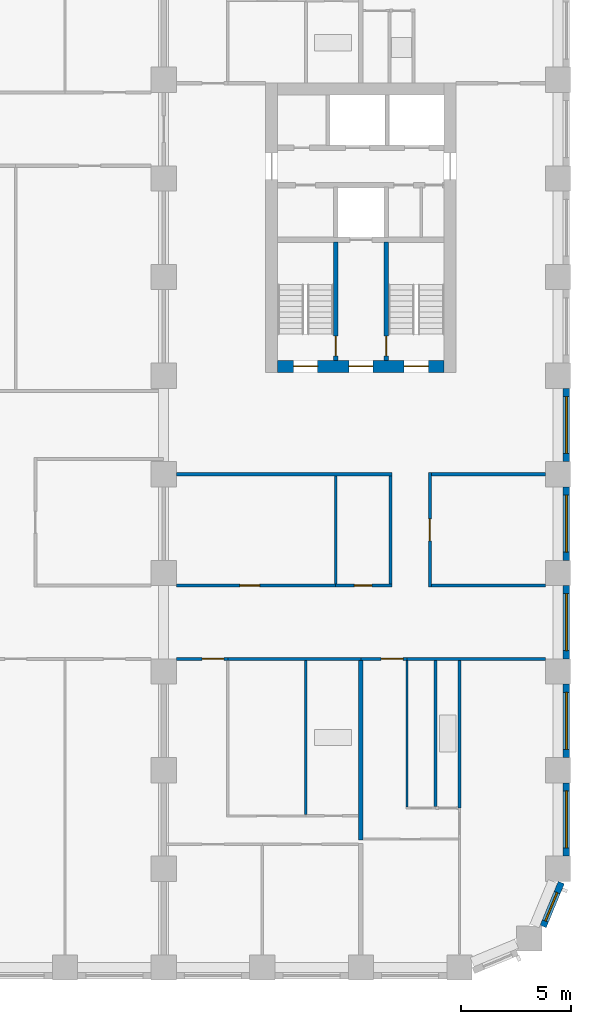
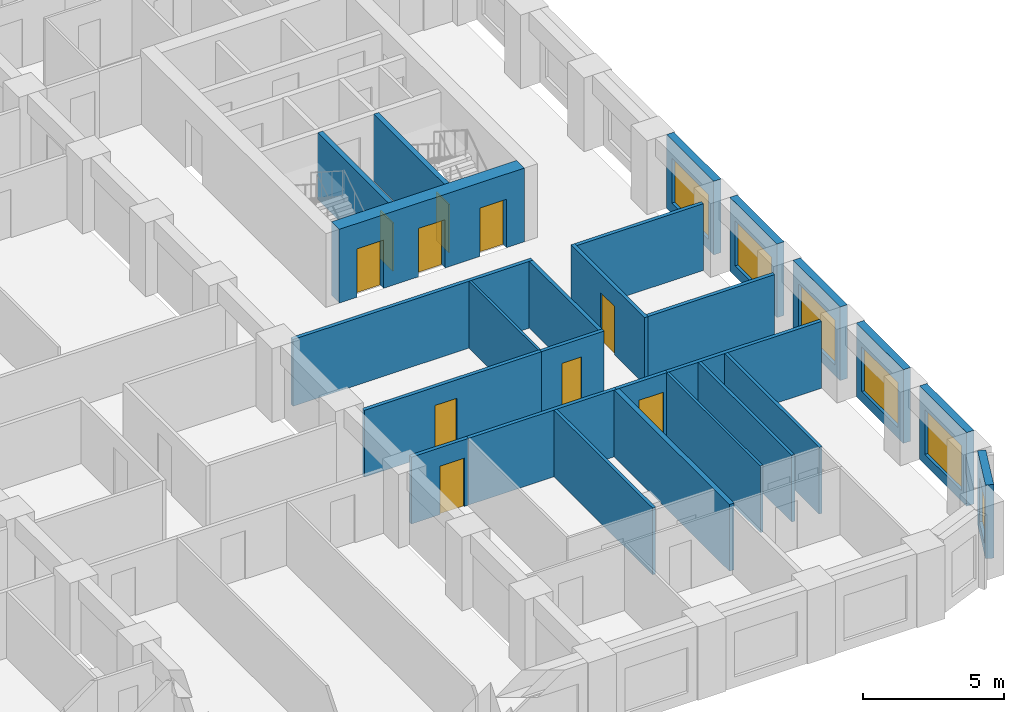
# One storey, part 5 of 12: 26 walls, 10 doors, 6 windows, 16 openings.
"""IFC4 building model written with IfcOpenShell, lengths in metres."""

import ifcopenshell
import ifcopenshell.guid

model = None  # the IFC model being written
_history = None  # IfcOwnerHistory: only IFC2X3 demands one
_inside = {}  # id of a spatial element -> (the spatial element, [elements in it])
_under = {}  # id of a project, library or spatial element -> (it, [spatial elements below it])
_declared = {}  # id of a project -> (the project, [libraries it declares])
_typed = {}  # id of a type object -> (the type object, [elements of that type])
_made_of = {}  # id of a material, layer set ... -> (it, [elements and type objects made of it])


def new_model(schema):
    """Start an empty IFC model of exactly this schema.

    Asked for "IFC4X3", IfcOpenShell would pick the latest addendum, in which some entities
    have other attributes; the version numbers below select the first issue.
    IFC2X3 requires an IfcOwnerHistory on every rooted entity: one is made here for all.
    """
    global model, _history
    if schema == "IFC4X3":
        model = ifcopenshell.file(schema_version=(4, 3, 0, 0))
    else:
        model = ifcopenshell.file(schema=schema)
    _inside.clear()
    _under.clear()
    _declared.clear()
    _typed.clear()
    _made_of.clear()
    _history = None
    if model.schema == "IFC2X3":
        org = make("IfcOrganization", Name="unknown")
        user = make(
            "IfcPersonAndOrganization",
            ThePerson=make("IfcPerson", FamilyName="unknown"),
            TheOrganization=org,
        )
        app = make(
            "IfcApplication",
            ApplicationDeveloper=org,
            Version="unknown",
            ApplicationFullName="unknown",
            ApplicationIdentifier="unknown",
        )
        _history = make(
            "IfcOwnerHistory",
            OwningUser=user,
            OwningApplication=app,
            ChangeAction="ADDED",
            CreationDate=0,
        )
    return model


def make(cls, **values):
    """One entity of the class cls with the attributes given. An attribute that is None is left unset."""
    return model.create_entity(
        cls, **{name: value for name, value in values.items() if value is not None}
    )


def rooted(cls, **values):
    """An entity with a GlobalId (a new one), such as an element, a storey or a relation."""
    return make(cls, GlobalId=ifcopenshell.guid.new(), OwnerHistory=_history, **values)


def si_unit(unit_type, name, prefix=None):
    """IfcSIUnit, for example si_unit("LENGTHUNIT", "METRE", prefix="MILLI")."""
    return make("IfcSIUnit", UnitType=unit_type, Prefix=prefix, Name=name)


def assignment(units):
    """IfcUnitAssignment: the units of a project."""
    return None if units is None else make("IfcUnitAssignment", Units=units)


def point(xyz):
    """IfcCartesianPoint."""
    return None if xyz is None else make("IfcCartesianPoint", Coordinates=xyz)


def direction(xyz):
    """IfcDirection."""
    return None if xyz is None else make("IfcDirection", DirectionRatios=xyz)


def frame(location, z_axis=None, x_axis=None):
    """IfcAxis2Placement3D, a coordinate frame: its origin and axes. An axis left out is left unset."""
    return make(
        "IfcAxis2Placement3D",
        Location=point(location),
        Axis=direction(z_axis),
        RefDirection=direction(x_axis),
    )


def frame_2d(location, x_axis=None):
    """IfcAxis2Placement2D, a coordinate frame in the plane: its origin and x axis."""
    return make(
        "IfcAxis2Placement2D", Location=point(location), RefDirection=direction(x_axis)
    )


def origin():
    """The frame at (0, 0, 0) with its axes left unset."""
    return frame((0.0, 0.0, 0.0))


def place(relative_to, where):
    """IfcLocalPlacement: puts the frame where relative to a parent placement (None: the world)."""
    return make(
        "IfcLocalPlacement", PlacementRelTo=relative_to, RelativePlacement=where
    )


def context(
    kind, dimensions, precision=None, world=None, true_north=None, identifier=None
):
    """IfcGeometricRepresentationContext, for example the 3D "Model" context."""
    return make(
        "IfcGeometricRepresentationContext",
        ContextIdentifier=identifier,
        ContextType=kind,
        CoordinateSpaceDimension=dimensions,
        Precision=precision,
        WorldCoordinateSystem=world,
        TrueNorth=true_north,
    )


def subcontext(parent, identifier, kind, view, scale=None):
    """IfcGeometricRepresentationSubContext, for example "Body" below "Model"."""
    return make(
        "IfcGeometricRepresentationSubContext",
        ContextIdentifier=identifier,
        ContextType=kind,
        ParentContext=parent,
        TargetScale=scale,
        TargetView=view,
    )


def project(units=None, contexts=None):
    """IfcProject with its units and contexts."""
    return rooted(
        "IfcProject",
        Name="project",
        RepresentationContexts=contexts,
        UnitsInContext=assignment(units),
    )


def spatial(cls, under=None, at=None, **own):
    """A site, building, storey or space (cls), placed at a placement, below another one or the project."""
    s = rooted(cls, ObjectPlacement=at, **own)
    if under is not None:
        _under.setdefault(under.id(), (under, []))[1].append(s)
    return s


def profile(cls, at=None, kind="AREA", **sizes):
    """A parametric profile (cls). Its sizes go by their IFC names, for example OverallWidth=200.0."""
    return make(cls, ProfileType=kind, Position=at, **sizes)


def rectangle(**sizes):
    """IfcRectangleProfileDef."""
    return profile("IfcRectangleProfileDef", **sizes)


def extrude(swept, where, along, depth):
    """IfcExtrudedAreaSolid: the profile swept, set in the frame where, extruded along a direction by depth."""
    return make(
        "IfcExtrudedAreaSolid",
        SweptArea=swept,
        Position=where,
        ExtrudedDirection=direction(along),
        Depth=depth,
    )


def shape(context_of_items, identifier, shape_type, items):
    """IfcShapeRepresentation: the items that make up one representation, for example the "Body"."""
    return make(
        "IfcShapeRepresentation",
        ContextOfItems=context_of_items,
        RepresentationIdentifier=identifier,
        RepresentationType=shape_type,
        Items=items,
    )


def material(Name=None, Category=None):
    """IfcMaterial."""
    return make("IfcMaterial", Name=Name, Category=Category)


def layer(
    of_material, thickness, ventilated=None, Name=None, Category=None, Priority=None
):
    """IfcMaterialLayer: one layer of a wall or slab, of a material (None: an air gap)."""
    return make(
        "IfcMaterialLayer",
        Material=of_material,
        LayerThickness=thickness,
        IsVentilated=ventilated,
        Name=Name,
        Category=Category,
        Priority=Priority,
    )


def layer_set(layers, Name=None):
    """IfcMaterialLayerSet."""
    return make("IfcMaterialLayerSet", MaterialLayers=layers, LayerSetName=Name)


def made_of(thing, what):
    """Note that an element or type object is made of a material, layer set ...; save() writes the relation."""
    if what is not None:
        _made_of.setdefault(what.id(), (what, []))[1].append(thing)
    return thing


def type_object(cls, material=None, **own):
    """A type object (cls), such as IfcWallType, which elements share."""
    return made_of(rooted(cls, **own), material)


def element(
    cls,
    number,
    at=None,
    inside=None,
    cuts=None,
    type_object=None,
    material=None,
    context=None,
    identifier="Body",
    shape_type=None,
    held_by="IfcProductDefinitionShape",
    body=None,
    shapes=None,
    **own,
):
    """One element of the class cls, such as IfcWall. Its Tag is "e" and its number.

    at: its placement. inside: the storey or other place that contains it. cuts: it is an
    opening in that element (IfcRelVoidsElement). A single representation is given by context,
    identifier, shape_type and body (its items); several are given by shapes. held_by: the class
    of the entity that holds the representations. save() writes the other relations.
    """
    e = rooted(cls, Tag="e%d" % number, ObjectPlacement=at, **own)
    if body is not None:
        shapes = [shape(context, identifier, shape_type, body)]
    if shapes is not None:
        e.Representation = make(held_by, Representations=shapes)
    if inside is not None:
        _inside.setdefault(inside.id(), (inside, []))[1].append(e)
    if cuts is not None:
        rooted(
            "IfcRelVoidsElement", RelatingBuildingElement=cuts, RelatedOpeningElement=e
        )
    if type_object is not None:
        _typed.setdefault(type_object.id(), (type_object, []))[1].append(e)
    return made_of(e, material)


def fill(opening, filler):
    """IfcRelFillsElement: the door or window that sits in an opening."""
    return rooted(
        "IfcRelFillsElement",
        RelatingOpeningElement=opening,
        RelatedBuildingElement=filler,
    )


def aggregate(whole, parts):
    """IfcRelAggregates: a whole, such as a stair, and the parts it consists of."""
    return rooted("IfcRelAggregates", RelatingObject=whole, RelatedObjects=parts)


def save(model, path):
    """Write the relations noted so far, then the file.

    IfcRelAggregates (storeys below a building ...), IfcRelContainedInSpatialStructure (elements
    in a storey), IfcRelDefinesByType, IfcRelAssociatesMaterial and IfcRelDeclares: one each for
    every whole, place, type object, material and project.
    """
    for whole, parts in _under.values():
        aggregate(whole, parts)
    for where, things in _inside.values():
        rooted(
            "IfcRelContainedInSpatialStructure",
            RelatedElements=things,
            RelatingStructure=where,
        )
    for kind, things in _typed.values():
        rooted("IfcRelDefinesByType", RelatedObjects=things, RelatingType=kind)
    for what, things in _made_of.values():
        rooted("IfcRelAssociatesMaterial", RelatedObjects=things, RelatingMaterial=what)
    for by, libraries in _declared.values():
        rooted("IfcRelDeclares", RelatingContext=by, RelatedDefinitions=libraries)
    model.write(path)


model = new_model("IFC4")

# Units and contexts
model_context = context("Model", 3, precision=1e-05, world=origin(), true_north=direction((0.0, 1.0)))
body_context = subcontext(model_context, "Body", "Model", "MODEL_VIEW")
ifc_project = project(units=[si_unit("LENGTHUNIT", "METRE"), si_unit("AREAUNIT", "SQUARE_METRE"), si_unit("VOLUMEUNIT", "CUBIC_METRE"), si_unit("PLANEANGLEUNIT", "RADIAN"), si_unit("MASSUNIT", "GRAM", prefix="KILO")], contexts=[model_context])

# Site, building, storey
site_placement = place(None, origin())
site = spatial("IfcSite", under=ifc_project, at=site_placement, CompositionType="ELEMENT")
building_placement = place(site_placement, origin())
building = spatial("IfcBuilding", under=site, at=building_placement, Name="Girih Gate Residences", CompositionType="ELEMENT")
storey_placement = place(building_placement, frame((0.0, 0.0, 118.39990234375)))
storey = spatial("IfcBuildingStorey", under=building, at=storey_placement, Name="L33", CompositionType="ELEMENT", Elevation=118.39990234375)

# Wall, opening, door
ifc_material_1 = material(Name="Gypsum board on steel studs", Category="steel")
ifc_layer_1 = layer(ifc_material_1, 0.14990234375)
ifc_layer_set_1 = layer_set([ifc_layer_1], Name="Compartment wall 150 mm")
wall_type_1 = type_object("IfcWallType", Name="Compartment wall 150 mm", PredefinedType="PARTITIONING", material=ifc_layer_set_1)
wall_1_placement = place(storey_placement, frame((42.60009765625, 14.074951171875, 0.0), z_axis=(0.0, 0.0, 1.0), x_axis=(-1.0, 0.0, 0.0)))
wall_1 = element("IfcWall", 1, at=wall_1_placement, inside=storey, type_object=wall_type_1, Name="L33 partition", PredefinedType="PARTITIONING", context=body_context, shape_type="SweptSolid", body=[
    extrude(rectangle(XDim=2.10009765625, YDim=0.14990234375, at=frame_2d((1.050048828125, 0.0))), origin(), (0.0, 0.0, 1.0), 2.900146484375),
])
opening_1_placement = place(wall_1_placement, frame((0.175048828125, 0.0, 0.0)))
opening_1 = element("IfcOpeningElement", 2, at=opening_1_placement, cuts=wall_1, Name="Opening A33-018", PredefinedType="OPENING", context=body_context, shape_type="SweptSolid", body=[
    extrude(rectangle(XDim=1.0, YDim=2.10009765625, at=frame_2d((0.5, 1.050048828125))), frame((0.0, 0.0849609375, 0.0), z_axis=(0.0, -1.0, 0.0), x_axis=(1.0, 0.0, 0.0)), (0.0, 0.0, 1.0), 0.169921875),
])
ifc_material_2 = material(Name="Timber, fire-rated core", Category="wood")
door_type_1 = type_object("IfcDoorType", Name="Flat entrance door 1000x2100 FD30S", OperationType="NOTDEFINED", PredefinedType="DOOR", material=ifc_material_2)
door_1_placement = place(opening_1_placement, origin())
door_1 = element("IfcDoor", 3, at=door_1_placement, inside=storey, type_object=door_type_1, Name="Door A33-018", OperationType="SINGLE_SWING_LEFT", OverallHeight=2.10009765625, OverallWidth=1.0, PredefinedType="DOOR", context=body_context, shape_type="SweptSolid", body=[
    extrude(rectangle(XDim=1.0, YDim=2.10009765625, at=frame_2d((0.5, 1.050048828125))), frame((0.0, 0.02490234375, 0.0), z_axis=(0.0, -1.0, 0.0), x_axis=(1.0, 0.0, 0.0)), (0.0, 0.0, 1.0), 0.050048828125),
])
fill(opening_1, door_1)

# Wall
wall_2_placement = place(storey_placement, frame((42.60009765625, 14.074951171875, 0.0), z_axis=(0.0, 0.0, 1.0), x_axis=(1.0, 0.0, 0.0)))
element("IfcWall", 4, at=wall_2_placement, inside=storey, type_object=wall_type_1, Name="L33 partition", PredefinedType="PARTITIONING", context=body_context, shape_type="SweptSolid", body=[
    extrude(rectangle(XDim=6.324951171875, YDim=0.14990234375, at=frame_2d((3.16259765625, 0.0))), origin(), (0.0, 0.0, 1.0), 2.900146484375),
])

# Wall, opening, door
wall_3_placement = place(storey_placement, frame((34.425048828125, 14.074951171875, 0.0), z_axis=(0.0, 0.0, 1.0), x_axis=(-1.0, 0.0, 0.0)))
wall_3 = element("IfcWall", 5, at=wall_3_placement, inside=storey, type_object=wall_type_1, Name="L33 partition", PredefinedType="PARTITIONING", context=body_context, shape_type="SweptSolid", body=[
    extrude(rectangle(XDim=2.35009765625, YDim=0.14990234375, at=frame_2d((1.175048828125, 0.0))), origin(), (0.0, 0.0, 1.0), 2.900146484375),
])
opening_2_placement = place(wall_3_placement, frame((0.175048828125, 0.0, 0.0)))
opening_2 = element("IfcOpeningElement", 6, at=opening_2_placement, cuts=wall_3, Name="Opening A33-023", PredefinedType="OPENING", context=body_context, shape_type="SweptSolid", body=[
    extrude(rectangle(XDim=1.0, YDim=2.10009765625, at=frame_2d((0.5, 1.050048828125))), frame((0.0, 0.0849609375, 0.0), z_axis=(0.0, -1.0, 0.0), x_axis=(1.0, 0.0, 0.0)), (0.0, 0.0, 1.0), 0.169921875),
])
door_2_placement = place(opening_2_placement, origin())
door_2 = element("IfcDoor", 7, at=door_2_placement, inside=storey, type_object=door_type_1, Name="Door A33-023", OperationType="SINGLE_SWING_LEFT", OverallHeight=2.10009765625, OverallWidth=1.0, PredefinedType="DOOR", context=body_context, shape_type="SweptSolid", body=[
    extrude(rectangle(XDim=1.0, YDim=2.10009765625, at=frame_2d((0.5, 1.050048828125))), frame((0.0, 0.02490234375, 0.0), z_axis=(0.0, -1.0, 0.0), x_axis=(1.0, 0.0, 0.0)), (0.0, 0.0, 1.0), 0.050048828125),
])
fill(opening_2, door_2)

# Wall
wall_4_placement = place(storey_placement, frame((34.425048828125, 14.074951171875, 0.0), z_axis=(0.0, 0.0, 1.0), x_axis=(1.0, 0.0, 0.0)))
element("IfcWall", 8, at=wall_4_placement, inside=storey, type_object=wall_type_1, Name="L33 partition", PredefinedType="PARTITIONING", context=body_context, shape_type="SweptSolid", body=[
    extrude(rectangle(XDim=6.074951171875, YDim=0.14990234375, at=frame_2d((3.03759765625, 0.0))), origin(), (0.0, 0.0, 1.0), 2.900146484375),
])

# Wall, opening, door
wall_5_placement = place(storey_placement, frame((32.074951171875, 17.425048828125, 0.0), z_axis=(0.0, 0.0, 1.0), x_axis=(1.0, 0.0, 0.0)))
wall_5 = element("IfcWall", 9, at=wall_5_placement, inside=storey, type_object=wall_type_1, Name="L33 partition", PredefinedType="PARTITIONING", context=body_context, shape_type="SweptSolid", body=[
    extrude(rectangle(XDim=7.275146484375, YDim=0.14990234375, at=frame_2d((3.6376953125, 0.0))), origin(), (0.0, 0.0, 1.0), 2.900146484375),
])
opening_3_placement = place(wall_5_placement, frame((2.89990234375, 0.0, 0.0)))
opening_3 = element("IfcOpeningElement", 10, at=opening_3_placement, cuts=wall_5, Name="Opening A33-045", PredefinedType="OPENING", context=body_context, shape_type="SweptSolid", body=[
    extrude(rectangle(XDim=0.89990234375, YDim=2.10009765625, at=frame_2d((0.449951171875, 1.050048828125))), frame((0.0, 0.0849609375, 0.0), z_axis=(0.0, -1.0, 0.0), x_axis=(1.0, 0.0, 0.0)), (0.0, 0.0, 1.0), 0.169921875),
])
ifc_material_3 = material(Name="Timber", Category="wood")
door_type_2 = type_object("IfcDoorType", Name="Service room door 900x2100", OperationType="NOTDEFINED", PredefinedType="DOOR", material=ifc_material_3)
door_3_placement = place(opening_3_placement, origin())
door_3 = element("IfcDoor", 11, at=door_3_placement, inside=storey, type_object=door_type_2, Name="Door A33-045", OperationType="SINGLE_SWING_LEFT", OverallHeight=2.10009765625, OverallWidth=0.89990234375, PredefinedType="DOOR", context=body_context, shape_type="SweptSolid", body=[
    extrude(rectangle(XDim=0.89990234375, YDim=2.10009765625, at=frame_2d((0.449951171875, 1.050048828125))), frame((0.0, 0.02490234375, 0.0), z_axis=(0.0, -1.0, 0.0), x_axis=(1.0, 0.0, 0.0)), (0.0, 0.0, 1.0), 0.050048828125),
])
fill(opening_3, door_3)

wall_6_placement = place(storey_placement, frame((39.35009765625, 17.425048828125, 0.0), z_axis=(0.0, 0.0, 1.0), x_axis=(1.0, 0.0, 0.0)))
wall_6 = element("IfcWall", 12, at=wall_6_placement, inside=storey, type_object=wall_type_1, Name="L33 partition", PredefinedType="PARTITIONING", context=body_context, shape_type="SweptSolid", body=[
    extrude(rectangle(XDim=2.574951171875, YDim=0.14990234375, at=frame_2d((1.28759765625, 0.0))), origin(), (0.0, 0.0, 1.0), 2.900146484375),
])
opening_4_placement = place(wall_6_placement, frame((0.85009765625, 0.0, 0.0)))
opening_4 = element("IfcOpeningElement", 13, at=opening_4_placement, cuts=wall_6, Name="Opening A33-047", PredefinedType="OPENING", context=body_context, shape_type="SweptSolid", body=[
    extrude(rectangle(XDim=0.800048828125, YDim=2.10009765625, at=frame_2d((0.39990234375, 1.050048828125))), frame((0.0, 0.0849609375, 0.0), z_axis=(0.0, -1.0, 0.0), x_axis=(1.0, 0.0, 0.0)), (0.0, 0.0, 1.0), 0.169921875),
])
door_type_3 = type_object("IfcDoorType", Name="Bathroom door 800x2100", OperationType="NOTDEFINED", PredefinedType="DOOR", material=ifc_material_3)
door_4_placement = place(opening_4_placement, origin())
door_4 = element("IfcDoor", 14, at=door_4_placement, inside=storey, type_object=door_type_3, Name="Door A33-047", OperationType="SINGLE_SWING_LEFT", OverallHeight=2.10009765625, OverallWidth=0.800048828125, PredefinedType="DOOR", context=body_context, shape_type="SweptSolid", body=[
    extrude(rectangle(XDim=0.800048828125, YDim=2.10009765625, at=frame_2d((0.39990234375, 1.050048828125))), frame((0.0, 0.02490234375, 0.0), z_axis=(0.0, -1.0, 0.0), x_axis=(1.0, 0.0, 0.0)), (0.0, 0.0, 1.0), 0.050048828125),
])
fill(opening_4, door_4)

# Walls
wall_7_placement = place(storey_placement, frame((43.72509765625, 17.425048828125, 0.0), z_axis=(0.0, 0.0, 1.0), x_axis=(1.0, 0.0, 0.0)))
element("IfcWall", 15, at=wall_7_placement, inside=storey, type_object=wall_type_1, Name="L33 partition", PredefinedType="PARTITIONING", context=body_context, shape_type="SweptSolid", body=[
    extrude(rectangle(XDim=5.199951171875, YDim=0.14990234375, at=frame_2d((2.60009765625, 0.0))), origin(), (0.0, 0.0, 1.0), 2.900146484375),
])
wall_8_placement = place(storey_placement, frame((32.074951171875, 22.5, 0.0), z_axis=(0.0, 0.0, 1.0), x_axis=(1.0, 0.0, 0.0)))
element("IfcWall", 16, at=wall_8_placement, inside=storey, type_object=wall_type_1, Name="L33 partition", PredefinedType="PARTITIONING", context=body_context, shape_type="SweptSolid", body=[
    extrude(rectangle(XDim=9.85009765625, YDim=0.14990234375, at=frame_2d((4.925048828125, 0.0))), origin(), (0.0, 0.0, 1.0), 2.900146484375),
])
wall_9_placement = place(storey_placement, frame((43.72509765625, 22.5, 0.0), z_axis=(0.0, 0.0, 1.0), x_axis=(1.0, 0.0, 0.0)))
element("IfcWall", 17, at=wall_9_placement, inside=storey, type_object=wall_type_1, Name="L33 partition", PredefinedType="PARTITIONING", context=body_context, shape_type="SweptSolid", body=[
    extrude(rectangle(XDim=5.199951171875, YDim=0.14990234375, at=frame_2d((2.60009765625, 0.0))), origin(), (0.0, 0.0, 1.0), 2.900146484375),
])
wall_10_placement = place(storey_placement, frame((41.85009765625, 17.5, 0.0), z_axis=(0.0, 0.0, 1.0), x_axis=(0.0, 1.0, 0.0)))
element("IfcWall", 18, at=wall_10_placement, inside=storey, type_object=wall_type_1, Name="L33 partition", PredefinedType="PARTITIONING", context=body_context, shape_type="SweptSolid", body=[
    extrude(rectangle(XDim=4.925048828125, YDim=0.14990234375, at=frame_2d((2.46240234375, 0.0))), origin(), (0.0, 0.0, 1.0), 2.900146484375),
])

# Wall, opening, door
wall_11_placement = place(storey_placement, frame((43.64990234375, 22.574951171875, 0.0), z_axis=(0.0, 0.0, 1.0), x_axis=(0.0, -1.0, 0.0)))
wall_11 = element("IfcWall", 19, at=wall_11_placement, inside=storey, type_object=wall_type_1, Name="L33 partition", PredefinedType="PARTITIONING", context=body_context, shape_type="SweptSolid", body=[
    extrude(rectangle(XDim=5.224853515625, YDim=0.14990234375, at=frame_2d((2.6123046875, 0.0))), origin(), (0.0, 0.0, 1.0), 2.900146484375),
])
opening_5_placement = place(wall_11_placement, frame((2.112548828125, 0.0, 0.0)))
opening_5 = element("IfcOpeningElement", 20, at=opening_5_placement, cuts=wall_11, Name="Opening A33-049", PredefinedType="OPENING", context=body_context, shape_type="SweptSolid", body=[
    extrude(rectangle(XDim=1.0, YDim=2.10009765625, at=frame_2d((0.5, 1.050048828125))), frame((0.0, 0.0849609375, 0.0), z_axis=(0.0, -1.0, 0.0), x_axis=(1.0, 0.0, 0.0)), (0.0, 0.0, 1.0), 0.169921875),
])
door_type_4 = type_object("IfcDoorType", Name="Amenity room door 1000x2100 FD30S", OperationType="NOTDEFINED", PredefinedType="DOOR", material=ifc_material_2)
door_5_placement = place(opening_5_placement, origin())
door_5 = element("IfcDoor", 21, at=door_5_placement, inside=storey, type_object=door_type_4, Name="Door A33-049", OperationType="SINGLE_SWING_RIGHT", OverallHeight=2.10009765625, OverallWidth=1.0, PredefinedType="DOOR", context=body_context, shape_type="SweptSolid", body=[
    extrude(rectangle(XDim=1.0, YDim=2.10009765625, at=frame_2d((0.5, 1.050048828125))), frame((0.0, 0.02490234375, 0.0), z_axis=(0.0, -1.0, 0.0), x_axis=(1.0, 0.0, 0.0)), (0.0, 0.0, 1.0), 0.050048828125),
])
fill(opening_5, door_5)

# Wall, openings, doors
ifc_material_4 = material(Name="Concrete C60/75", Category="concrete")
ifc_layer_2 = layer(ifc_material_4, 0.550048828125)
ifc_layer_set_2 = layer_set([ifc_layer_2], Name="Core wall RC 550 Concrete C60/75")
wall_type_2 = type_object("IfcWallType", Name="Core wall RC 550 Concrete C60/75", PredefinedType="SOLIDWALL", material=ifc_layer_set_2)
wall_12_placement = place(storey_placement, frame((36.699951171875, 27.425048828125, 0.0), z_axis=(0.0, 0.0, 1.0), x_axis=(1.0, 0.0, 0.0)))
wall_12 = element("IfcWall", 22, at=wall_12_placement, inside=storey, type_object=wall_type_2, Name="Core wall E-S L33", PredefinedType="SOLIDWALL", context=body_context, shape_type="SweptSolid", body=[
    extrude(rectangle(XDim=7.60009765625, YDim=0.550048828125, at=frame_2d((3.800048828125, 0.0))), origin(), (0.0, 0.0, 1.0), 3.2001953125),
])
opening_6_placement = place(wall_12_placement, frame((5.77490234375, 0.0, 0.0)))
opening_6 = element("IfcOpeningElement", 23, at=opening_6_placement, cuts=wall_12, Name="Opening D-L33-E-010", PredefinedType="OPENING", context=body_context, shape_type="SweptSolid", body=[
    extrude(rectangle(XDim=1.10009765625, YDim=2.10009765625, at=frame_2d((0.550048828125, 1.050048828125))), frame((0.0, 0.284912109375, 0.0), z_axis=(0.0, -1.0, 0.0), x_axis=(1.0, 0.0, 0.0)), (0.0, 0.0, 1.0), 0.570068359375),
])
opening_7_placement = place(wall_12_placement, frame((3.25, 0.0, 0.0)))
opening_7 = element("IfcOpeningElement", 24, at=opening_7_placement, cuts=wall_12, Name="Opening D-L33-E-011", PredefinedType="OPENING", context=body_context, shape_type="SweptSolid", body=[
    extrude(rectangle(XDim=1.10009765625, YDim=2.10009765625, at=frame_2d((0.550048828125, 1.050048828125))), frame((0.0, 0.284912109375, 0.0), z_axis=(0.0, -1.0, 0.0), x_axis=(1.0, 0.0, 0.0)), (0.0, 0.0, 1.0), 0.570068359375),
])
opening_8_placement = place(wall_12_placement, frame((0.72509765625, 0.0, 0.0)))
opening_8 = element("IfcOpeningElement", 25, at=opening_8_placement, cuts=wall_12, Name="Opening D-L33-E-012", PredefinedType="OPENING", context=body_context, shape_type="SweptSolid", body=[
    extrude(rectangle(XDim=1.10009765625, YDim=2.10009765625, at=frame_2d((0.550048828125, 1.050048828125))), frame((0.0, 0.284912109375, 0.0), z_axis=(0.0, -1.0, 0.0), x_axis=(1.0, 0.0, 0.0)), (0.0, 0.0, 1.0), 0.570068359375),
])
ifc_material_5 = material(Name="Painted steel, fire-resisting", Category="steel")
door_type_5 = type_object("IfcDoorType", Name="Fire door 1100x2100", OperationType="SINGLE_SWING_LEFT", PredefinedType="DOOR", material=ifc_material_5)
door_6_placement = place(opening_6_placement, origin())
door_6 = element("IfcDoor", 26, at=door_6_placement, inside=storey, type_object=door_type_5, Name="L33 E core door sta-out", OperationType="SINGLE_SWING_LEFT", OverallHeight=2.10009765625, OverallWidth=1.10009765625, PredefinedType="DOOR", context=body_context, shape_type="SweptSolid", body=[
    extrude(rectangle(XDim=1.10009765625, YDim=2.10009765625, at=frame_2d((0.550048828125, 1.050048828125))), frame((0.0, 0.02490234375, 0.0), z_axis=(0.0, -1.0, 0.0), x_axis=(1.0, 0.0, 0.0)), (0.0, 0.0, 1.0), 0.050048828125),
])
fill(opening_6, door_6)
door_7_placement = place(opening_7_placement, origin())
door_7 = element("IfcDoor", 27, at=door_7_placement, inside=storey, type_object=door_type_5, Name="L33 E core door ffl-out", OperationType="SINGLE_SWING_LEFT", OverallHeight=2.10009765625, OverallWidth=1.10009765625, PredefinedType="DOOR", context=body_context, shape_type="SweptSolid", body=[
    extrude(rectangle(XDim=1.10009765625, YDim=2.10009765625, at=frame_2d((0.550048828125, 1.050048828125))), frame((0.0, 0.02490234375, 0.0), z_axis=(0.0, -1.0, 0.0), x_axis=(1.0, 0.0, 0.0)), (0.0, 0.0, 1.0), 0.050048828125),
])
fill(opening_7, door_7)
door_8_placement = place(opening_8_placement, origin())
door_8 = element("IfcDoor", 28, at=door_8_placement, inside=storey, type_object=door_type_5, Name="L33 E core door stb-out", OperationType="SINGLE_SWING_LEFT", OverallHeight=2.10009765625, OverallWidth=1.10009765625, PredefinedType="DOOR", context=body_context, shape_type="SweptSolid", body=[
    extrude(rectangle(XDim=1.10009765625, YDim=2.10009765625, at=frame_2d((0.550048828125, 1.050048828125))), frame((0.0, 0.02490234375, 0.0), z_axis=(0.0, -1.0, 0.0), x_axis=(1.0, 0.0, 0.0)), (0.0, 0.0, 1.0), 0.050048828125),
])
fill(opening_8, door_8)

# Walls
ifc_layer_3 = layer(ifc_material_1, 0.10009765625)
ifc_layer_set_3 = layer_set([ifc_layer_3], Name="Partition 100 mm")
wall_type_3 = type_object("IfcWallType", Name="Partition 100 mm", PredefinedType="PARTITIONING", material=ifc_layer_set_3)
wall_13_placement = place(storey_placement, frame((42.60009765625, 7.324951171875, 0.0), z_axis=(0.0, 0.0, 1.0), x_axis=(0.0, 1.0, 0.0)))
element("IfcWall", 29, at=wall_13_placement, inside=storey, type_object=wall_type_3, Name="L33 partition", PredefinedType="PARTITIONING", context=body_context, shape_type="SweptSolid", body=[
    extrude(rectangle(XDim=6.675048828125, YDim=0.10009765625, at=frame_2d((3.33740234375, 0.0))), origin(), (0.0, 0.0, 1.0), 2.900146484375),
])
wall_14_placement = place(storey_placement, frame((39.35009765625, 17.5, 0.0), z_axis=(0.0, 0.0, 1.0), x_axis=(0.0, 1.0, 0.0)))
element("IfcWall", 30, at=wall_14_placement, inside=storey, type_object=wall_type_3, Name="L33 partition", PredefinedType="PARTITIONING", context=body_context, shape_type="SweptSolid", body=[
    extrude(rectangle(XDim=4.925048828125, YDim=0.10009765625, at=frame_2d((2.46240234375, 0.0))), origin(), (0.0, 0.0, 1.0), 2.900146484375),
])
ifc_layer_4 = layer(ifc_material_1, 0.199951171875)
ifc_layer_set_4 = layer_set([ifc_layer_4], Name="Party wall 200 mm")
wall_type_4 = type_object("IfcWallType", Name="Party wall 200 mm", PredefinedType="PARTITIONING", material=ifc_layer_set_4)
wall_15_placement = place(storey_placement, frame((40.5, 5.804931640625, 0.0), z_axis=(0.0, 0.0, 1.0), x_axis=(0.0, 1.0, 0.0)))
element("IfcWall", 31, at=wall_15_placement, inside=storey, type_object=wall_type_4, Name="L33 partition", PredefinedType="PARTITIONING", context=body_context, shape_type="SweptSolid", body=[
    extrude(rectangle(XDim=8.195068359375, YDim=0.199951171875, at=frame_2d((4.09765625, 0.0))), origin(), (0.0, 0.0, 1.0), 2.900146484375),
])

# Wall, opening, window
ifc_material_6 = material(Name="Precast concrete C50/60", Category="concrete")
ifc_layer_5 = layer(ifc_material_6, 0.080078125, Name="Outer leaf")
ifc_material_7 = material(Name="Rigid PIR insulation")
ifc_layer_6 = layer(ifc_material_7, 0.14990234375, Name="Insulation")
ifc_material_8 = material(Name="Precast concrete C40/50", Category="concrete")
ifc_layer_7 = layer(ifc_material_8, 0.070068359375, Name="Inner leaf")
ifc_layer_set_5 = layer_set([ifc_layer_5, ifc_layer_6, ifc_layer_7], Name="Precast concrete C50/60 external wall 300")
wall_type_5 = type_object("IfcWallType", Name="Precast concrete C50/60 external wall 300", PredefinedType="SOLIDWALL", material=ifc_layer_set_5)
wall_16_placement = place(storey_placement, frame((49.64404296875, 3.86767578125, 0.0), z_axis=(0.0, 0.0, 1.0), x_axis=(-0.382723818695, -0.923862802911, 0.0)))
wall_16 = element("IfcWall", 32, at=wall_16_placement, inside=storey, type_object=wall_type_5, Name="External wall SE0482_0013.0", PredefinedType="SOLIDWALL", context=body_context, shape_type="SweptSolid", body=[
    extrude(rectangle(XDim=2.163818359375, YDim=0.300048828125, at=frame_2d((1.08203125, 0.0))), origin(), (0.0, 0.0, 1.0), 3.2001953125),
])
opening_9_placement = place(wall_16_placement, frame((0.492919921875, 0.0, 0.449951171875)))
opening_9 = element("IfcOpeningElement", 33, at=opening_9_placement, cuts=wall_16, Name="Opening W-2D", PredefinedType="OPENING", context=body_context, shape_type="SweptSolid", body=[
    extrude(rectangle(XDim=1.39990234375, YDim=1.949951171875, at=frame_2d((0.699951171875, 0.97509765625))), frame((0.0, 0.159912109375, 0.0), z_axis=(0.0, -1.0, 0.0), x_axis=(1.0, 0.0, 0.0)), (0.0, 0.0, 1.0), 0.320068359375),
])
ifc_material_9 = material(Name="Double glazing in aluminium frame", Category="aluminium")
window_type_1 = type_object("IfcWindowType", Name="Window W-2D 1400x1950", PartitioningType="SINGLE_PANEL", PredefinedType="WINDOW", material=ifc_material_9)
window_1_placement = place(opening_9_placement, origin())
window_1 = element("IfcWindow", 34, at=window_1_placement, inside=storey, type_object=window_type_1, Name="Window W-2D SE0482_0013.0", OverallHeight=1.949951171875, OverallWidth=1.39990234375, PartitioningType="SINGLE_PANEL", PredefinedType="WINDOW", context=body_context, shape_type="SweptSolid", body=[
    extrude(rectangle(XDim=1.39990234375, YDim=1.949951171875, at=frame_2d((0.699951171875, 0.97509765625))), frame((0.0, 0.030029296875, 0.0), z_axis=(0.0, -1.0, 0.0), x_axis=(1.0, 0.0, 0.0)), (0.0, 0.0, 1.0), 0.06005859375),
])
fill(opening_9, window_1)

wall_17_placement = place(storey_placement, frame((49.875, 8.425048828125, 0.0), z_axis=(0.0, 0.0, 1.0), x_axis=(0.0, -1.0, 0.0)))
wall_17 = element("IfcWall", 35, at=wall_17_placement, inside=storey, type_object=wall_type_5, Name="External wall E0495_0045.0", PredefinedType="SOLIDWALL", context=body_context, shape_type="SweptSolid", body=[
    extrude(rectangle(XDim=3.35009765625, YDim=0.300048828125, at=frame_2d((1.675048828125, 0.0))), origin(), (0.0, 0.0, 1.0), 3.2001953125),
])
opening_10_placement = place(wall_17_placement, frame((0.375, 0.0, 0.449951171875)))
opening_10 = element("IfcOpeningElement", 36, at=opening_10_placement, cuts=wall_17, Name="Opening W-1A", PredefinedType="OPENING", context=body_context, shape_type="SweptSolid", body=[
    extrude(rectangle(XDim=2.60009765625, YDim=1.949951171875, at=frame_2d((1.300048828125, 0.97509765625))), frame((0.0, 0.159912109375, 0.0), z_axis=(0.0, -1.0, 0.0), x_axis=(1.0, 0.0, 0.0)), (0.0, 0.0, 1.0), 0.320068359375),
])
window_type_2 = type_object("IfcWindowType", Name="Window W-1A 2600x1950", PartitioningType="SINGLE_PANEL", PredefinedType="WINDOW", material=ifc_material_9)
window_2_placement = place(opening_10_placement, origin())
window_2 = element("IfcWindow", 37, at=window_2_placement, inside=storey, type_object=window_type_2, Name="Window W-1A E0495_0045.0", OverallHeight=1.949951171875, OverallWidth=2.60009765625, PartitioningType="SINGLE_PANEL", PredefinedType="WINDOW", context=body_context, shape_type="SweptSolid", body=[
    extrude(rectangle(XDim=2.60009765625, YDim=1.949951171875, at=frame_2d((1.300048828125, 0.97509765625))), frame((0.0, 0.030029296875, 0.0), z_axis=(0.0, -1.0, 0.0), x_axis=(1.0, 0.0, 0.0)), (0.0, 0.0, 1.0), 0.06005859375),
])
fill(opening_10, window_2)

wall_18_placement = place(storey_placement, frame((49.875, 12.925048828125, 0.0), z_axis=(0.0, 0.0, 1.0), x_axis=(0.0, -1.0, 0.0)))
wall_18 = element("IfcWall", 38, at=wall_18_placement, inside=storey, type_object=wall_type_5, Name="External wall E0495_0045.1", PredefinedType="SOLIDWALL", context=body_context, shape_type="SweptSolid", body=[
    extrude(rectangle(XDim=3.35009765625, YDim=0.300048828125, at=frame_2d((1.675048828125, 0.0))), origin(), (0.0, 0.0, 1.0), 3.2001953125),
])
opening_11_placement = place(wall_18_placement, frame((0.375, 0.0, 0.449951171875)))
opening_11 = element("IfcOpeningElement", 39, at=opening_11_placement, cuts=wall_18, Name="Opening W-1A", PredefinedType="OPENING", context=body_context, shape_type="SweptSolid", body=[
    extrude(rectangle(XDim=2.60009765625, YDim=1.949951171875, at=frame_2d((1.300048828125, 0.97509765625))), frame((0.0, 0.159912109375, 0.0), z_axis=(0.0, -1.0, 0.0), x_axis=(1.0, 0.0, 0.0)), (0.0, 0.0, 1.0), 0.320068359375),
])
window_3_placement = place(opening_11_placement, origin())
window_3 = element("IfcWindow", 40, at=window_3_placement, inside=storey, type_object=window_type_2, Name="Window W-1A E0495_0045.1", OverallHeight=1.949951171875, OverallWidth=2.60009765625, PartitioningType="SINGLE_PANEL", PredefinedType="WINDOW", context=body_context, shape_type="SweptSolid", body=[
    extrude(rectangle(XDim=2.60009765625, YDim=1.949951171875, at=frame_2d((1.300048828125, 0.97509765625))), frame((0.0, 0.030029296875, 0.0), z_axis=(0.0, -1.0, 0.0), x_axis=(1.0, 0.0, 0.0)), (0.0, 0.0, 1.0), 0.06005859375),
])
fill(opening_11, window_3)

wall_19_placement = place(storey_placement, frame((49.875, 17.425048828125, 0.0), z_axis=(0.0, 0.0, 1.0), x_axis=(0.0, -1.0, 0.0)))
wall_19 = element("IfcWall", 41, at=wall_19_placement, inside=storey, type_object=wall_type_5, Name="External wall E0495_0045.2", PredefinedType="SOLIDWALL", context=body_context, shape_type="SweptSolid", body=[
    extrude(rectangle(XDim=3.35009765625, YDim=0.300048828125, at=frame_2d((1.675048828125, 0.0))), origin(), (0.0, 0.0, 1.0), 3.2001953125),
])
opening_12_placement = place(wall_19_placement, frame((0.375, 0.0, 0.449951171875)))
opening_12 = element("IfcOpeningElement", 42, at=opening_12_placement, cuts=wall_19, Name="Opening W-1A", PredefinedType="OPENING", context=body_context, shape_type="SweptSolid", body=[
    extrude(rectangle(XDim=2.60009765625, YDim=1.949951171875, at=frame_2d((1.300048828125, 0.97509765625))), frame((0.0, 0.159912109375, 0.0), z_axis=(0.0, -1.0, 0.0), x_axis=(1.0, 0.0, 0.0)), (0.0, 0.0, 1.0), 0.320068359375),
])
window_4_placement = place(opening_12_placement, origin())
window_4 = element("IfcWindow", 43, at=window_4_placement, inside=storey, type_object=window_type_2, Name="Window W-1A E0495_0045.2", OverallHeight=1.949951171875, OverallWidth=2.60009765625, PartitioningType="SINGLE_PANEL", PredefinedType="WINDOW", context=body_context, shape_type="SweptSolid", body=[
    extrude(rectangle(XDim=2.60009765625, YDim=1.949951171875, at=frame_2d((1.300048828125, 0.97509765625))), frame((0.0, 0.030029296875, 0.0), z_axis=(0.0, -1.0, 0.0), x_axis=(1.0, 0.0, 0.0)), (0.0, 0.0, 1.0), 0.06005859375),
])
fill(opening_12, window_4)

wall_20_placement = place(storey_placement, frame((49.875, 21.925048828125, 0.0), z_axis=(0.0, 0.0, 1.0), x_axis=(0.0, -1.0, 0.0)))
wall_20 = element("IfcWall", 44, at=wall_20_placement, inside=storey, type_object=wall_type_5, Name="External wall E0495_0045.3", PredefinedType="SOLIDWALL", context=body_context, shape_type="SweptSolid", body=[
    extrude(rectangle(XDim=3.35009765625, YDim=0.300048828125, at=frame_2d((1.675048828125, 0.0))), origin(), (0.0, 0.0, 1.0), 3.2001953125),
])
opening_13_placement = place(wall_20_placement, frame((0.375, 0.0, 0.449951171875)))
opening_13 = element("IfcOpeningElement", 45, at=opening_13_placement, cuts=wall_20, Name="Opening W-1A", PredefinedType="OPENING", context=body_context, shape_type="SweptSolid", body=[
    extrude(rectangle(XDim=2.60009765625, YDim=1.949951171875, at=frame_2d((1.300048828125, 0.97509765625))), frame((0.0, 0.159912109375, 0.0), z_axis=(0.0, -1.0, 0.0), x_axis=(1.0, 0.0, 0.0)), (0.0, 0.0, 1.0), 0.320068359375),
])
window_5_placement = place(opening_13_placement, origin())
window_5 = element("IfcWindow", 46, at=window_5_placement, inside=storey, type_object=window_type_2, Name="Window W-1A E0495_0045.3", OverallHeight=1.949951171875, OverallWidth=2.60009765625, PartitioningType="SINGLE_PANEL", PredefinedType="WINDOW", context=body_context, shape_type="SweptSolid", body=[
    extrude(rectangle(XDim=2.60009765625, YDim=1.949951171875, at=frame_2d((1.300048828125, 0.97509765625))), frame((0.0, 0.030029296875, 0.0), z_axis=(0.0, -1.0, 0.0), x_axis=(1.0, 0.0, 0.0)), (0.0, 0.0, 1.0), 0.06005859375),
])
fill(opening_13, window_5)

wall_21_placement = place(storey_placement, frame((49.875, 26.425048828125, 0.0), z_axis=(0.0, 0.0, 1.0), x_axis=(0.0, -1.0, 0.0)))
wall_21 = element("IfcWall", 47, at=wall_21_placement, inside=storey, type_object=wall_type_5, Name="External wall E0495_0045.4", PredefinedType="SOLIDWALL", context=body_context, shape_type="SweptSolid", body=[
    extrude(rectangle(XDim=3.35009765625, YDim=0.300048828125, at=frame_2d((1.675048828125, 0.0))), origin(), (0.0, 0.0, 1.0), 3.2001953125),
])
opening_14_placement = place(wall_21_placement, frame((0.375, 0.0, 0.449951171875)))
opening_14 = element("IfcOpeningElement", 48, at=opening_14_placement, cuts=wall_21, Name="Opening W-1A", PredefinedType="OPENING", context=body_context, shape_type="SweptSolid", body=[
    extrude(rectangle(XDim=2.60009765625, YDim=1.949951171875, at=frame_2d((1.300048828125, 0.97509765625))), frame((0.0, 0.159912109375, 0.0), z_axis=(0.0, -1.0, 0.0), x_axis=(1.0, 0.0, 0.0)), (0.0, 0.0, 1.0), 0.320068359375),
])
window_6_placement = place(opening_14_placement, origin())
window_6 = element("IfcWindow", 49, at=window_6_placement, inside=storey, type_object=window_type_2, Name="Window W-1A E0495_0045.4", OverallHeight=1.949951171875, OverallWidth=2.60009765625, PartitioningType="SINGLE_PANEL", PredefinedType="WINDOW", context=body_context, shape_type="SweptSolid", body=[
    extrude(rectangle(XDim=2.60009765625, YDim=1.949951171875, at=frame_2d((1.300048828125, 0.97509765625))), frame((0.0, 0.030029296875, 0.0), z_axis=(0.0, -1.0, 0.0), x_axis=(1.0, 0.0, 0.0)), (0.0, 0.0, 1.0), 0.06005859375),
])
fill(opening_14, window_6)

# Wall, opening, door
ifc_material_10 = material(Name="Concrete C40/50", Category="concrete")
ifc_layer_8 = layer(ifc_material_10, 0.199951171875)
ifc_layer_set_6 = layer_set([ifc_layer_8], Name="Shaft wall 200")
wall_type_6 = type_object("IfcWallType", Name="Shaft wall 200", PredefinedType="SOLIDWALL", material=ifc_layer_set_6)
wall_22_placement = place(storey_placement, frame((41.64990234375, 27.699951171875, 0.0), z_axis=(0.0, 0.0, 1.0), x_axis=(0.0, 1.0, 0.0)))
wall_22 = element("IfcWall", 50, at=wall_22_placement, inside=storey, type_object=wall_type_6, Name="L33 E core wall V1a", PredefinedType="SOLIDWALL", context=body_context, shape_type="SweptSolid", body=[
    extrude(rectangle(XDim=5.400146484375, YDim=0.199951171875, at=frame_2d((2.7001953125, 0.0))), origin(), (0.0, 0.0, 1.0), 2.900146484375),
])
opening_15_placement = place(wall_22_placement, frame((0.199951171875, 0.0, 0.0)))
opening_15 = element("IfcOpeningElement", 51, at=opening_15_placement, cuts=wall_22, Name="Opening D-L33-E-001", PredefinedType="OPENING", context=body_context, shape_type="SweptSolid", body=[
    extrude(rectangle(XDim=0.89990234375, YDim=2.10009765625, at=frame_2d((0.449951171875, 1.050048828125))), frame((0.0, 0.10986328125, 0.0), z_axis=(0.0, -1.0, 0.0), x_axis=(1.0, 0.0, 0.0)), (0.0, 0.0, 1.0), 0.219970703125),
])
door_type_6 = type_object("IfcDoorType", Name="Fire door 900x2100", OperationType="SINGLE_SWING_LEFT", PredefinedType="DOOR", material=ifc_material_5)
door_9_placement = place(opening_15_placement, origin())
door_9 = element("IfcDoor", 52, at=door_9_placement, inside=storey, type_object=door_type_6, Name="L33 E door stair 1 to firefighting lobby", OperationType="SINGLE_SWING_LEFT", OverallHeight=2.10009765625, OverallWidth=0.89990234375, PredefinedType="DOOR", context=body_context, shape_type="SweptSolid", body=[
    extrude(rectangle(XDim=0.89990234375, YDim=2.10009765625, at=frame_2d((0.449951171875, 1.050048828125))), frame((0.0, 0.02490234375, 0.0), z_axis=(0.0, -1.0, 0.0), x_axis=(1.0, 0.0, 0.0)), (0.0, 0.0, 1.0), 0.050048828125),
])
fill(opening_15, door_9)

wall_23_placement = place(storey_placement, frame((39.35009765625, 27.699951171875, 0.0), z_axis=(0.0, 0.0, 1.0), x_axis=(0.0, 1.0, 0.0)))
wall_23 = element("IfcWall", 53, at=wall_23_placement, inside=storey, type_object=wall_type_6, Name="L33 E core wall V2a", PredefinedType="SOLIDWALL", context=body_context, shape_type="SweptSolid", body=[
    extrude(rectangle(XDim=5.400146484375, YDim=0.199951171875, at=frame_2d((2.7001953125, 0.0))), origin(), (0.0, 0.0, 1.0), 2.900146484375),
])
opening_16_placement = place(wall_23_placement, frame((0.199951171875, 0.0, 0.0)))
opening_16 = element("IfcOpeningElement", 54, at=opening_16_placement, cuts=wall_23, Name="Opening D-L33-E-002", PredefinedType="OPENING", context=body_context, shape_type="SweptSolid", body=[
    extrude(rectangle(XDim=0.89990234375, YDim=2.10009765625, at=frame_2d((0.449951171875, 1.050048828125))), frame((0.0, 0.10986328125, 0.0), z_axis=(0.0, -1.0, 0.0), x_axis=(1.0, 0.0, 0.0)), (0.0, 0.0, 1.0), 0.219970703125),
])
door_10_placement = place(opening_16_placement, origin())
door_10 = element("IfcDoor", 55, at=door_10_placement, inside=storey, type_object=door_type_6, Name="L33 E door stair 2 to firefighting lobby", OperationType="SINGLE_SWING_LEFT", OverallHeight=2.10009765625, OverallWidth=0.89990234375, PredefinedType="DOOR", context=body_context, shape_type="SweptSolid", body=[
    extrude(rectangle(XDim=0.89990234375, YDim=2.10009765625, at=frame_2d((0.449951171875, 1.050048828125))), frame((0.0, 0.02490234375, 0.0), z_axis=(0.0, -1.0, 0.0), x_axis=(1.0, 0.0, 0.0)), (0.0, 0.0, 1.0), 0.050048828125),
])
fill(opening_16, door_10)

# Walls
ifc_layer_9 = layer(ifc_material_1, 0.125)
ifc_layer_set_7 = layer_set([ifc_layer_9], Name="Wet room wall 125 mm")
wall_type_7 = type_object("IfcWallType", Name="Wet room wall 125 mm", PredefinedType="PARTITIONING", material=ifc_layer_set_7)
wall_24_placement = place(storey_placement, frame((43.908935546875, 7.33740234375, 0.0), z_axis=(0.0, 0.0, 1.0), x_axis=(0.0, 1.0, 0.0)))
element("IfcWall", 56, at=wall_24_placement, inside=storey, type_object=wall_type_7, Name="L33 partition", PredefinedType="PARTITIONING", context=body_context, shape_type="SweptSolid", body=[
    extrude(rectangle(XDim=6.66259765625, YDim=0.125, at=frame_2d((3.331298828125, 0.0))), origin(), (0.0, 0.0, 1.0), 2.900146484375),
])
wall_25_placement = place(storey_placement, frame((45.0, 7.27490234375, 0.0), z_axis=(0.0, 0.0, 1.0), x_axis=(0.0, 1.0, 0.0)))
element("IfcWall", 57, at=wall_25_placement, inside=storey, type_object=wall_type_7, Name="L33 partition", PredefinedType="PARTITIONING", context=body_context, shape_type="SweptSolid", body=[
    extrude(rectangle(XDim=6.72509765625, YDim=0.125, at=frame_2d((3.362548828125, 0.0))), origin(), (0.0, 0.0, 1.0), 2.900146484375),
])
wall_26_placement = place(storey_placement, frame((37.988037109375, 6.9775390625, 0.0), z_axis=(0.0, 0.0, 1.0), x_axis=(0.0, 1.0, 0.0)))
element("IfcWall", 58, at=wall_26_placement, inside=storey, type_object=wall_type_7, Name="L33 partition", PredefinedType="PARTITIONING", context=body_context, shape_type="SweptSolid", body=[
    extrude(rectangle(XDim=7.0224609375, YDim=0.125, at=frame_2d((3.51123046875, 0.0))), origin(), (0.0, 0.0, 1.0), 2.900146484375),
])

save(model, "model.ifc")
